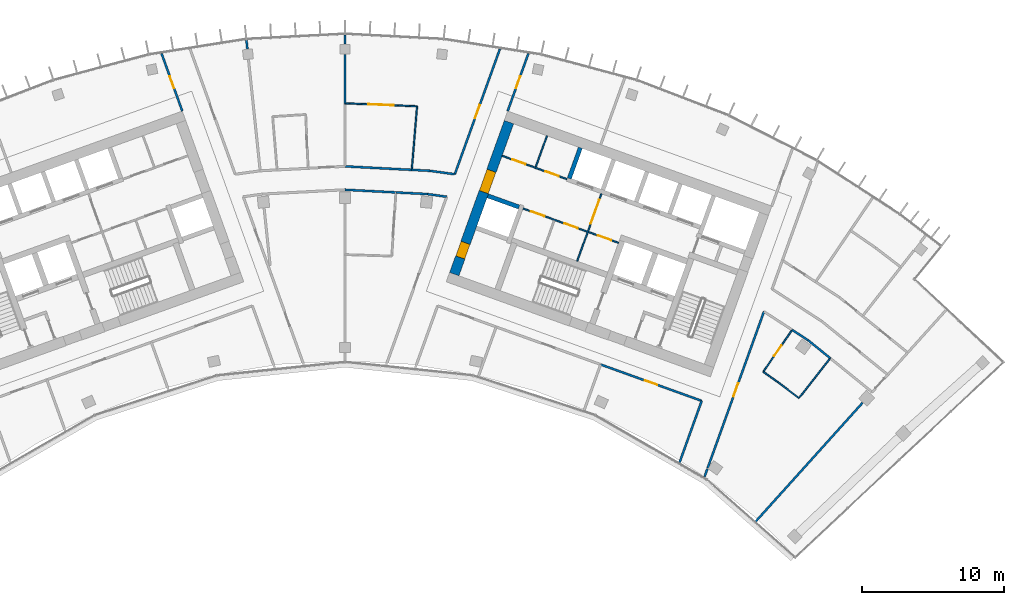
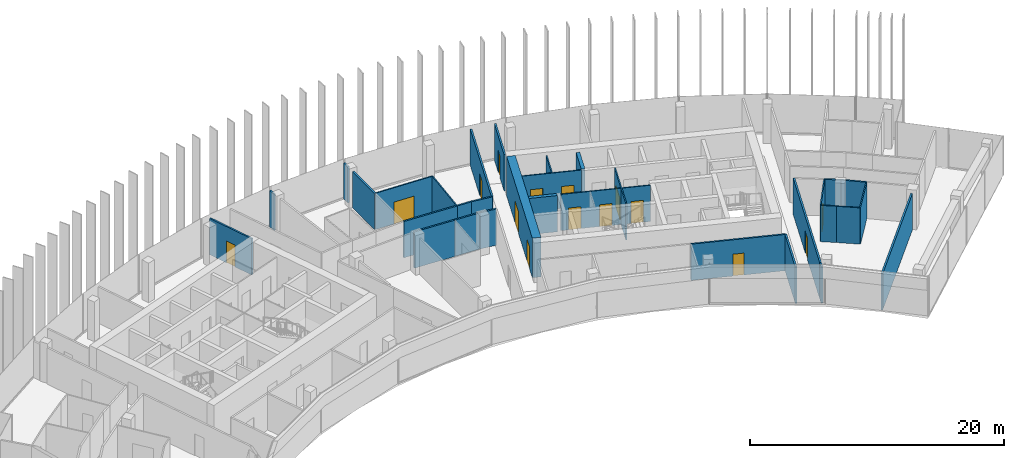
# One storey, part 16 of 19: 32 walls, 15 doors, 15 openings.
"""IFC4 building model written with IfcOpenShell, lengths in metres."""

import ifcopenshell
import ifcopenshell.guid

model = None  # the IFC model being written
_history = None  # IfcOwnerHistory: only IFC2X3 demands one
_inside = {}  # id of a spatial element -> (the spatial element, [elements in it])
_under = {}  # id of a project, library or spatial element -> (it, [spatial elements below it])
_declared = {}  # id of a project -> (the project, [libraries it declares])
_typed = {}  # id of a type object -> (the type object, [elements of that type])
_made_of = {}  # id of a material, layer set ... -> (it, [elements and type objects made of it])


def new_model(schema):
    """Start an empty IFC model of exactly this schema.

    Asked for "IFC4X3", IfcOpenShell would pick the latest addendum, in which some entities
    have other attributes; the version numbers below select the first issue.
    IFC2X3 requires an IfcOwnerHistory on every rooted entity: one is made here for all.
    """
    global model, _history
    if schema == "IFC4X3":
        model = ifcopenshell.file(schema_version=(4, 3, 0, 0))
    else:
        model = ifcopenshell.file(schema=schema)
    _inside.clear()
    _under.clear()
    _declared.clear()
    _typed.clear()
    _made_of.clear()
    _history = None
    if model.schema == "IFC2X3":
        org = make("IfcOrganization", Name="unknown")
        user = make(
            "IfcPersonAndOrganization",
            ThePerson=make("IfcPerson", FamilyName="unknown"),
            TheOrganization=org,
        )
        app = make(
            "IfcApplication",
            ApplicationDeveloper=org,
            Version="unknown",
            ApplicationFullName="unknown",
            ApplicationIdentifier="unknown",
        )
        _history = make(
            "IfcOwnerHistory",
            OwningUser=user,
            OwningApplication=app,
            ChangeAction="ADDED",
            CreationDate=0,
        )
    return model


def make(cls, **values):
    """One entity of the class cls with the attributes given. An attribute that is None is left unset."""
    return model.create_entity(
        cls, **{name: value for name, value in values.items() if value is not None}
    )


def rooted(cls, **values):
    """An entity with a GlobalId (a new one), such as an element, a storey or a relation."""
    return make(cls, GlobalId=ifcopenshell.guid.new(), OwnerHistory=_history, **values)


def si_unit(unit_type, name, prefix=None):
    """IfcSIUnit, for example si_unit("LENGTHUNIT", "METRE", prefix="MILLI")."""
    return make("IfcSIUnit", UnitType=unit_type, Prefix=prefix, Name=name)


def assignment(units):
    """IfcUnitAssignment: the units of a project."""
    return None if units is None else make("IfcUnitAssignment", Units=units)


def point(xyz):
    """IfcCartesianPoint."""
    return None if xyz is None else make("IfcCartesianPoint", Coordinates=xyz)


def direction(xyz):
    """IfcDirection."""
    return None if xyz is None else make("IfcDirection", DirectionRatios=xyz)


def frame(location, z_axis=None, x_axis=None):
    """IfcAxis2Placement3D, a coordinate frame: its origin and axes. An axis left out is left unset."""
    return make(
        "IfcAxis2Placement3D",
        Location=point(location),
        Axis=direction(z_axis),
        RefDirection=direction(x_axis),
    )


def frame_2d(location, x_axis=None):
    """IfcAxis2Placement2D, a coordinate frame in the plane: its origin and x axis."""
    return make(
        "IfcAxis2Placement2D", Location=point(location), RefDirection=direction(x_axis)
    )


def origin():
    """The frame at (0, 0, 0) with its axes left unset."""
    return frame((0.0, 0.0, 0.0))


def place(relative_to, where):
    """IfcLocalPlacement: puts the frame where relative to a parent placement (None: the world)."""
    return make(
        "IfcLocalPlacement", PlacementRelTo=relative_to, RelativePlacement=where
    )


def context(
    kind, dimensions, precision=None, world=None, true_north=None, identifier=None
):
    """IfcGeometricRepresentationContext, for example the 3D "Model" context."""
    return make(
        "IfcGeometricRepresentationContext",
        ContextIdentifier=identifier,
        ContextType=kind,
        CoordinateSpaceDimension=dimensions,
        Precision=precision,
        WorldCoordinateSystem=world,
        TrueNorth=true_north,
    )


def subcontext(parent, identifier, kind, view, scale=None):
    """IfcGeometricRepresentationSubContext, for example "Body" below "Model"."""
    return make(
        "IfcGeometricRepresentationSubContext",
        ContextIdentifier=identifier,
        ContextType=kind,
        ParentContext=parent,
        TargetScale=scale,
        TargetView=view,
    )


def project(units=None, contexts=None):
    """IfcProject with its units and contexts."""
    return rooted(
        "IfcProject",
        Name="project",
        RepresentationContexts=contexts,
        UnitsInContext=assignment(units),
    )


def spatial(cls, under=None, at=None, **own):
    """A site, building, storey or space (cls), placed at a placement, below another one or the project."""
    s = rooted(cls, ObjectPlacement=at, **own)
    if under is not None:
        _under.setdefault(under.id(), (under, []))[1].append(s)
    return s


def profile(cls, at=None, kind="AREA", **sizes):
    """A parametric profile (cls). Its sizes go by their IFC names, for example OverallWidth=200.0."""
    return make(cls, ProfileType=kind, Position=at, **sizes)


def rectangle(**sizes):
    """IfcRectangleProfileDef."""
    return profile("IfcRectangleProfileDef", **sizes)


def extrude(swept, where, along, depth):
    """IfcExtrudedAreaSolid: the profile swept, set in the frame where, extruded along a direction by depth."""
    return make(
        "IfcExtrudedAreaSolid",
        SweptArea=swept,
        Position=where,
        ExtrudedDirection=direction(along),
        Depth=depth,
    )


def shape(context_of_items, identifier, shape_type, items):
    """IfcShapeRepresentation: the items that make up one representation, for example the "Body"."""
    return make(
        "IfcShapeRepresentation",
        ContextOfItems=context_of_items,
        RepresentationIdentifier=identifier,
        RepresentationType=shape_type,
        Items=items,
    )


def material(Name=None, Category=None):
    """IfcMaterial."""
    return make("IfcMaterial", Name=Name, Category=Category)


def layer(
    of_material, thickness, ventilated=None, Name=None, Category=None, Priority=None
):
    """IfcMaterialLayer: one layer of a wall or slab, of a material (None: an air gap)."""
    return make(
        "IfcMaterialLayer",
        Material=of_material,
        LayerThickness=thickness,
        IsVentilated=ventilated,
        Name=Name,
        Category=Category,
        Priority=Priority,
    )


def layer_set(layers, Name=None):
    """IfcMaterialLayerSet."""
    return make("IfcMaterialLayerSet", MaterialLayers=layers, LayerSetName=Name)


def made_of(thing, what):
    """Note that an element or type object is made of a material, layer set ...; save() writes the relation."""
    if what is not None:
        _made_of.setdefault(what.id(), (what, []))[1].append(thing)
    return thing


def type_object(cls, material=None, **own):
    """A type object (cls), such as IfcWallType, which elements share."""
    return made_of(rooted(cls, **own), material)


def element(
    cls,
    number,
    at=None,
    inside=None,
    cuts=None,
    type_object=None,
    material=None,
    context=None,
    identifier="Body",
    shape_type=None,
    held_by="IfcProductDefinitionShape",
    body=None,
    shapes=None,
    **own,
):
    """One element of the class cls, such as IfcWall. Its Tag is "e" and its number.

    at: its placement. inside: the storey or other place that contains it. cuts: it is an
    opening in that element (IfcRelVoidsElement). A single representation is given by context,
    identifier, shape_type and body (its items); several are given by shapes. held_by: the class
    of the entity that holds the representations. save() writes the other relations.
    """
    e = rooted(cls, Tag="e%d" % number, ObjectPlacement=at, **own)
    if body is not None:
        shapes = [shape(context, identifier, shape_type, body)]
    if shapes is not None:
        e.Representation = make(held_by, Representations=shapes)
    if inside is not None:
        _inside.setdefault(inside.id(), (inside, []))[1].append(e)
    if cuts is not None:
        rooted(
            "IfcRelVoidsElement", RelatingBuildingElement=cuts, RelatedOpeningElement=e
        )
    if type_object is not None:
        _typed.setdefault(type_object.id(), (type_object, []))[1].append(e)
    return made_of(e, material)


def fill(opening, filler):
    """IfcRelFillsElement: the door or window that sits in an opening."""
    return rooted(
        "IfcRelFillsElement",
        RelatingOpeningElement=opening,
        RelatedBuildingElement=filler,
    )


def aggregate(whole, parts):
    """IfcRelAggregates: a whole, such as a stair, and the parts it consists of."""
    return rooted("IfcRelAggregates", RelatingObject=whole, RelatedObjects=parts)


def save(model, path):
    """Write the relations noted so far, then the file.

    IfcRelAggregates (storeys below a building ...), IfcRelContainedInSpatialStructure (elements
    in a storey), IfcRelDefinesByType, IfcRelAssociatesMaterial and IfcRelDeclares: one each for
    every whole, place, type object, material and project.
    """
    for whole, parts in _under.values():
        aggregate(whole, parts)
    for where, things in _inside.values():
        rooted(
            "IfcRelContainedInSpatialStructure",
            RelatedElements=things,
            RelatingStructure=where,
        )
    for kind, things in _typed.values():
        rooted("IfcRelDefinesByType", RelatedObjects=things, RelatingType=kind)
    for what, things in _made_of.values():
        rooted("IfcRelAssociatesMaterial", RelatedObjects=things, RelatingMaterial=what)
    for by, libraries in _declared.values():
        rooted("IfcRelDeclares", RelatingContext=by, RelatedDefinitions=libraries)
    model.write(path)


model = new_model("IFC4")

# Units and contexts
model_context = context("Model", 3, precision=1e-05, world=origin(), true_north=direction((0.0, 1.0)))
body_context = subcontext(model_context, "Body", "Model", "MODEL_VIEW")
ifc_project = project(units=[si_unit("LENGTHUNIT", "METRE"), si_unit("AREAUNIT", "SQUARE_METRE"), si_unit("VOLUMEUNIT", "CUBIC_METRE"), si_unit("PLANEANGLEUNIT", "RADIAN"), si_unit("MASSUNIT", "GRAM", prefix="KILO")], contexts=[model_context])

# Site, building, storey
site_placement = place(None, origin())
site = spatial("IfcSite", under=ifc_project, at=site_placement, CompositionType="ELEMENT")
building_placement = place(site_placement, origin())
building = spatial("IfcBuilding", under=site, at=building_placement, Name="Stone Belt Terrace Tower", CompositionType="ELEMENT")
storey_placement = place(building_placement, frame((0.0, 0.0, 292.199951171875)))
storey = spatial("IfcBuildingStorey", under=building, at=storey_placement, Name="L71", CompositionType="ELEMENT", Elevation=292.199951171875)

# Wall, openings, doors
ifc_material_1 = material(Name="Plasterboard partition")
ifc_layer_1 = layer(ifc_material_1, 0.10009765625)
ifc_layer_set_1 = layer_set([ifc_layer_1], Name="Core partition 100")
wall_type_1 = type_object("IfcWallType", Name="Core partition 100", PredefinedType="PARTITIONING", material=ifc_layer_set_1)
wall_1_placement = place(storey_placement, frame((19.29052734375, 51.829833984375, 0.0), z_axis=(0.0, 0.0, 1.0), x_axis=(-0.94092179465, 0.338623945331, 0.0)))
wall_1 = element("IfcWall", 1, at=wall_1_placement, inside=storey, type_object=wall_type_1, Name="Core B wall", PredefinedType="PARTITIONING", context=body_context, shape_type="SweptSolid", body=[
    extrude(rectangle(XDim=7.14990234375, YDim=0.10009765625, at=frame_2d((3.574951171875, 0.0))), origin(), (0.0, 0.0, 1.0), 3.47998046875),
])
opening_1_placement = place(wall_1_placement, frame((0.550048828125, 0.0, 0.0)))
opening_1 = element("IfcOpeningElement", 2, at=opening_1_placement, cuts=wall_1, Name="Opening L71-C18", PredefinedType="OPENING", context=body_context, shape_type="SweptSolid", body=[
    extrude(rectangle(XDim=1.0, YDim=2.10009765625, at=frame_2d((0.5, 1.050048828125))), frame((0.0, 0.06005859375, 0.0), z_axis=(0.0, -1.0, 0.0), x_axis=(1.0, 0.0, 0.0)), (0.0, 0.0, 1.0), 0.1201171875),
])
opening_2_placement = place(wall_1_placement, frame((3.050048828125, 0.0, 0.0)))
opening_2 = element("IfcOpeningElement", 3, at=opening_2_placement, cuts=wall_1, Name="Opening L71-C19", PredefinedType="OPENING", context=body_context, shape_type="SweptSolid", body=[
    extrude(rectangle(XDim=1.0, YDim=2.10009765625, at=frame_2d((0.5, 1.050048828125))), frame((0.0, 0.06005859375, 0.0), z_axis=(0.0, -1.0, 0.0), x_axis=(1.0, 0.0, 0.0)), (0.0, 0.0, 1.0), 0.1201171875),
])
opening_3_placement = place(wall_1_placement, frame((5.550048828125, 0.0, 0.0)))
opening_3 = element("IfcOpeningElement", 4, at=opening_3_placement, cuts=wall_1, Name="Opening L71-C20", PredefinedType="OPENING", context=body_context, shape_type="SweptSolid", body=[
    extrude(rectangle(XDim=1.0, YDim=2.10009765625, at=frame_2d((0.5, 1.050048828125))), frame((0.0, 0.06005859375, 0.0), z_axis=(0.0, -1.0, 0.0), x_axis=(1.0, 0.0, 0.0)), (0.0, 0.0, 1.0), 0.1201171875),
])
ifc_material_2 = material(Name="Timber door leaf", Category="wood")
door_type_1 = type_object("IfcDoorType", Name="Core room door 1000", OperationType="SINGLE_SWING_LEFT", PredefinedType="DOOR", material=ifc_material_2)
door_1_placement = place(opening_1_placement, origin())
door_1 = element("IfcDoor", 5, at=door_1_placement, inside=storey, type_object=door_type_1, Name="Door to Electrical room core B", OperationType="SINGLE_SWING_RIGHT", OverallHeight=2.10009765625, OverallWidth=1.0, PredefinedType="DOOR", context=body_context, shape_type="SweptSolid", body=[
    extrude(rectangle(XDim=1.0, YDim=2.10009765625, at=frame_2d((0.5, 1.050048828125))), frame((0.0, 0.02490234375, 0.0), z_axis=(0.0, -1.0, 0.0), x_axis=(1.0, 0.0, 0.0)), (0.0, 0.0, 1.0), 0.050048828125),
])
fill(opening_1, door_1)
door_2_placement = place(opening_2_placement, origin())
door_2 = element("IfcDoor", 6, at=door_2_placement, inside=storey, type_object=door_type_1, Name="Door to Ventilation plant room core B", OperationType="SINGLE_SWING_LEFT", OverallHeight=2.10009765625, OverallWidth=1.0, PredefinedType="DOOR", context=body_context, shape_type="SweptSolid", body=[
    extrude(rectangle(XDim=1.0, YDim=2.10009765625, at=frame_2d((0.5, 1.050048828125))), frame((0.0, 0.02490234375, 0.0), z_axis=(0.0, -1.0, 0.0), x_axis=(1.0, 0.0, 0.0)), (0.0, 0.0, 1.0), 0.050048828125),
])
fill(opening_2, door_2)
door_3_placement = place(opening_3_placement, origin())
door_3 = element("IfcDoor", 7, at=door_3_placement, inside=storey, type_object=door_type_1, Name="Door to Services store core B", OperationType="SINGLE_SWING_RIGHT", OverallHeight=2.10009765625, OverallWidth=1.0, PredefinedType="DOOR", context=body_context, shape_type="SweptSolid", body=[
    extrude(rectangle(XDim=1.0, YDim=2.10009765625, at=frame_2d((0.5, 1.050048828125))), frame((0.0, 0.02490234375, 0.0), z_axis=(0.0, -1.0, 0.0), x_axis=(1.0, 0.0, 0.0)), (0.0, 0.0, 1.0), 0.050048828125),
])
fill(opening_3, door_3)

# Wall, opening, door
wall_2_placement = place(storey_placement, frame((16.38134765625, 50.53857421875, 0.0), z_axis=(0.0, 0.0, 1.0), x_axis=(0.33860476744, 0.940928696271, 0.0)))
wall_2 = element("IfcWall", 8, at=wall_2_placement, inside=storey, type_object=wall_type_1, Name="Core B wall", PredefinedType="PARTITIONING", context=body_context, shape_type="SweptSolid", body=[
    extrude(rectangle(XDim=5.050048828125, YDim=0.10009765625, at=frame_2d((2.52490234375, 0.0))), origin(), (0.0, 0.0, 1.0), 3.47998046875),
])
opening_4_placement = place(wall_2_placement, frame((2.800048828125, 0.0, 0.0)))
opening_4 = element("IfcOpeningElement", 9, at=opening_4_placement, cuts=wall_2, Name="Opening L71-C23", PredefinedType="OPENING", context=body_context, shape_type="SweptSolid", body=[
    extrude(rectangle(XDim=1.800048828125, YDim=2.10009765625, at=frame_2d((0.89990234375, 1.050048828125))), frame((0.0, 0.06005859375, 0.0), z_axis=(0.0, -1.0, 0.0), x_axis=(1.0, 0.0, 0.0)), (0.0, 0.0, 1.0), 0.1201171875),
])
ifc_material_3 = material(Name="Glazed aluminium door leaf", Category="aluminium")
door_type_2 = type_object("IfcDoorType", Name="Lift lobby entrance door 1800", OperationType="DOUBLE_DOOR_SINGLE_SWING", PredefinedType="DOOR", material=ifc_material_3)
door_4_placement = place(opening_4_placement, origin())
door_4 = element("IfcDoor", 10, at=door_4_placement, inside=storey, type_object=door_type_2, Name="Lift lobby double door core B", OperationType="DOUBLE_DOOR_SINGLE_SWING", OverallHeight=2.10009765625, OverallWidth=1.800048828125, PredefinedType="DOOR", context=body_context, shape_type="SweptSolid", body=[
    extrude(rectangle(XDim=1.800048828125, YDim=2.10009765625, at=frame_2d((0.89990234375, 1.050048828125))), frame((0.0, 0.02490234375, 0.0), z_axis=(0.0, -1.0, 0.0), x_axis=(1.0, 0.0, 0.0)), (0.0, 0.0, 1.0), 0.050048828125),
])
fill(opening_4, door_4)

# Wall, openings, doors
wall_3_placement = place(storey_placement, frame((15.648681640625, 56.32861328125, 0.0), z_axis=(0.0, 0.0, 1.0), x_axis=(-0.940905377977, 0.338669558262, 0.0)))
wall_3 = element("IfcWall", 11, at=wall_3_placement, inside=storey, type_object=wall_type_1, Name="Core B wall", PredefinedType="PARTITIONING", context=body_context, shape_type="SweptSolid", body=[
    extrude(rectangle(XDim=4.85009765625, YDim=0.10009765625, at=frame_2d((2.425048828125, 0.0))), origin(), (0.0, 0.0, 1.0), 3.47998046875),
])
opening_5_placement = place(wall_3_placement, frame((0.60009765625, 0.0, 0.0)))
opening_5 = element("IfcOpeningElement", 12, at=opening_5_placement, cuts=wall_3, Name="Opening L71-C16", PredefinedType="OPENING", context=body_context, shape_type="SweptSolid", body=[
    extrude(rectangle(XDim=1.0, YDim=2.10009765625, at=frame_2d((0.5, 1.050048828125))), frame((0.0, 0.06005859375, 0.0), z_axis=(0.0, -1.0, 0.0), x_axis=(1.0, 0.0, 0.0)), (0.0, 0.0, 1.0), 0.1201171875),
])
opening_6_placement = place(wall_3_placement, frame((3.10009765625, 0.0, 0.0)))
opening_6 = element("IfcOpeningElement", 13, at=opening_6_placement, cuts=wall_3, Name="Opening L71-C17", PredefinedType="OPENING", context=body_context, shape_type="SweptSolid", body=[
    extrude(rectangle(XDim=1.0, YDim=2.10009765625, at=frame_2d((0.5, 1.050048828125))), frame((0.0, 0.06005859375, 0.0), z_axis=(0.0, -1.0, 0.0), x_axis=(1.0, 0.0, 0.0)), (0.0, 0.0, 1.0), 0.1201171875),
])
door_5_placement = place(opening_5_placement, origin())
door_5 = element("IfcDoor", 14, at=door_5_placement, inside=storey, type_object=door_type_1, Name="Door to Server room core B", OperationType="SINGLE_SWING_RIGHT", OverallHeight=2.10009765625, OverallWidth=1.0, PredefinedType="DOOR", context=body_context, shape_type="SweptSolid", body=[
    extrude(rectangle(XDim=1.0, YDim=2.10009765625, at=frame_2d((0.5, 1.050048828125))), frame((0.0, 0.02490234375, 0.0), z_axis=(0.0, -1.0, 0.0), x_axis=(1.0, 0.0, 0.0)), (0.0, 0.0, 1.0), 0.050048828125),
])
fill(opening_5, door_5)
door_6_placement = place(opening_6_placement, origin())
door_6 = element("IfcDoor", 15, at=door_6_placement, inside=storey, type_object=door_type_1, Name="Door to Plant room core B", OperationType="SINGLE_SWING_LEFT", OverallHeight=2.10009765625, OverallWidth=1.0, PredefinedType="DOOR", context=body_context, shape_type="SweptSolid", body=[
    extrude(rectangle(XDim=1.0, YDim=2.10009765625, at=frame_2d((0.5, 1.050048828125))), frame((0.0, 0.02490234375, 0.0), z_axis=(0.0, -1.0, 0.0), x_axis=(1.0, 0.0, 0.0)), (0.0, 0.0, 1.0), 0.050048828125),
])
fill(opening_6, door_6)

# Wall
wall_4_placement = place(storey_placement, frame((13.45458984375, 57.171630859375, 0.0), z_axis=(0.0, 0.0, 1.0), x_axis=(0.338579668317, 0.940937728121, 0.0)))
element("IfcWall", 16, at=wall_4_placement, inside=storey, type_object=wall_type_1, Name="Core B wall", PredefinedType="PARTITIONING", context=body_context, shape_type="SweptSolid", body=[
    extrude(rectangle(XDim=2.35009765625, YDim=0.10009765625, at=frame_2d((1.175048828125, 0.0))), origin(), (0.0, 0.0, 1.0), 3.47998046875),
])

# Wall, openings, doors
ifc_material_4 = material(Name="Concrete B60", Category="concrete")
ifc_layer_2 = layer(ifc_material_4, 0.699951171875)
ifc_layer_set_2 = layer_set([ifc_layer_2], Name="Core wall 700 B60")
wall_type_2 = type_object("IfcWallType", Name="Core wall 700 B60", PredefinedType="SHEAR", material=ifc_layer_set_2)
wall_5_placement = place(storey_placement, frame((7.70849609375, 49.621337890625, 0.0), z_axis=(0.0, 0.0, 1.0), x_axis=(0.338606471282, 0.940928083121, 0.0)))
wall_5 = element("IfcWall", 17, at=wall_5_placement, inside=storey, type_object=wall_type_2, Name="Core B wall end_a L71", PredefinedType="SHEAR", context=body_context, shape_type="SweptSolid", body=[
    extrude(rectangle(XDim=11.39990234375, YDim=0.699951171875, at=frame_2d((5.699951171875, 0.0))), origin(), (0.0, 0.0, 1.0), 3.800048828125),
])
opening_7_placement = place(wall_5_placement, frame((6.14990234375, 0.0, 0.0)))
opening_7 = element("IfcOpeningElement", 18, at=opening_7_placement, cuts=wall_5, Name="Opening L71-C24", PredefinedType="OPENING", context=body_context, shape_type="SweptSolid", body=[
    extrude(rectangle(XDim=1.60009765625, YDim=2.10009765625, at=frame_2d((0.800048828125, 1.050048828125))), frame((0.0, 0.35986328125, 0.0), z_axis=(0.0, -1.0, 0.0), x_axis=(1.0, 0.0, 0.0)), (0.0, 0.0, 1.0), 0.719970703125),
])
opening_8_placement = place(wall_5_placement, frame((1.25, 0.0, 0.0)))
opening_8 = element("IfcOpeningElement", 19, at=opening_8_placement, cuts=wall_5, Name="Opening L71-C30", PredefinedType="OPENING", context=body_context, shape_type="SweptSolid", body=[
    extrude(rectangle(XDim=1.10009765625, YDim=2.10009765625, at=frame_2d((0.550048828125, 1.050048828125))), frame((0.0, 0.35986328125, 0.0), z_axis=(0.0, -1.0, 0.0), x_axis=(1.0, 0.0, 0.0)), (0.0, 0.0, 1.0), 0.719970703125),
])
door_type_3 = type_object("IfcDoorType", Name="Core room door 1100", OperationType="SINGLE_SWING_LEFT", PredefinedType="DOOR", material=ifc_material_2)
door_7_placement = place(opening_8_placement, origin())
door_7 = element("IfcDoor", 20, at=door_7_placement, inside=storey, type_object=door_type_3, Name="Door to Electrical riser room core B", OperationType="SINGLE_SWING_RIGHT", OverallHeight=2.10009765625, OverallWidth=1.10009765625, PredefinedType="DOOR", context=body_context, shape_type="SweptSolid", body=[
    extrude(rectangle(XDim=1.10009765625, YDim=2.10009765625, at=frame_2d((0.550048828125, 1.050048828125))), frame((0.0, 0.330078125, 0.0), z_axis=(0.0, -1.0, 0.0), x_axis=(1.0, 0.0, 0.0)), (0.0, 0.0, 1.0), 0.659912109375),
])
fill(opening_8, door_7)
door_type_4 = type_object("IfcDoorType", Name="Lift lobby entrance door 1600", OperationType="DOUBLE_DOOR_SINGLE_SWING", PredefinedType="DOOR", material=ifc_material_3)
door_8_placement = place(opening_7_placement, origin())
door_8 = element("IfcDoor", 21, at=door_8_placement, inside=storey, type_object=door_type_4, Name="Lift lobby entrance door core B", OperationType="DOUBLE_DOOR_SINGLE_SWING", OverallHeight=2.10009765625, OverallWidth=1.60009765625, PredefinedType="DOOR", context=body_context, shape_type="SweptSolid", body=[
    extrude(rectangle(XDim=1.60009765625, YDim=2.10009765625, at=frame_2d((0.800048828125, 1.050048828125))), frame((0.0, 0.330078125, 0.0), z_axis=(0.0, -1.0, 0.0), x_axis=(1.0, 0.0, 0.0)), (0.0, 0.0, 1.0), 0.659912109375),
])
fill(opening_7, door_8)

# Walls
ifc_material_5 = material(Name="Concrete B80", Category="concrete")
ifc_layer_3 = layer(ifc_material_5, 0.300048828125)
ifc_layer_set_3 = layer_set([ifc_layer_3], Name="Lift shaft wall 300")
wall_type_3 = type_object("IfcWallType", Name="Lift shaft wall 300", PredefinedType="SHEAR", material=ifc_layer_set_3)
wall_6_placement = place(storey_placement, frame((15.82373046875, 56.3720703125, 0.0), z_axis=(0.0, 0.0, 1.0), x_axis=(0.338621735342, 0.94092258999, 0.0)))
element("IfcWall", 22, at=wall_6_placement, inside=storey, type_object=wall_type_3, Name="Core B wall", PredefinedType="SHEAR", context=body_context, shape_type="SweptSolid", body=[
    extrude(rectangle(XDim=2.300048828125, YDim=0.300048828125, at=frame_2d((1.14990234375, 0.0))), origin(), (0.0, 0.0, 1.0), 3.47998046875),
])
wall_7_placement = place(storey_placement, frame((12.280517578125, 54.3525390625, 0.0), z_axis=(0.0, 0.0, 1.0), x_axis=(-0.940925816745, 0.338612769078, 0.0)))
element("IfcWall", 23, at=wall_7_placement, inside=storey, type_object=wall_type_3, Name="Core B wall", PredefinedType="SHEAR", context=body_context, shape_type="SweptSolid", body=[
    extrude(rectangle(XDim=2.349853515625, YDim=0.300048828125, at=frame_2d((1.1748046875, 0.0))), origin(), (0.0, 0.0, 1.0), 3.47998046875),
])

# Wall, opening, door
ifc_material_6 = material(Name="Gypsum board partition")
ifc_layer_4 = layer(ifc_material_6, 0.10009765625)
ifc_layer_set_4 = layer_set([ifc_layer_4], Name="PARTITION 100")
wall_type_4 = type_object("IfcWallType", Name="PARTITION 100", PredefinedType="PARTITIONING", material=ifc_layer_set_4)
wall_8_placement = place(storey_placement, frame((31.5439453125, 45.68896484375, 0.0), z_axis=(0.0, 0.0, 1.0), x_axis=(-0.568120559213, -0.822945338525, 0.0)))
wall_8 = element("IfcWall", 24, at=wall_8_placement, inside=storey, type_object=wall_type_4, Name="L71/wall/i064", PredefinedType="PARTITIONING", context=body_context, shape_type="SweptSolid", body=[
    extrude(rectangle(XDim=3.5908203125, YDim=0.10009765625, at=frame_2d((1.79541015625, 0.0))), origin(), (0.0, 0.0, 1.0), 3.47998046875),
])
opening_9_placement = place(wall_8_placement, frame((1.345458984375, 0.0, 0.0)))
opening_9 = element("IfcOpeningElement", 25, at=opening_9_placement, cuts=wall_8, Name="Opening D-E4-19", PredefinedType="OPENING", context=body_context, shape_type="SweptSolid", body=[
    extrude(rectangle(XDim=0.89990234375, YDim=2.10009765625, at=frame_2d((0.449951171875, 1.050048828125))), frame((0.0, 0.06005859375, 0.0), z_axis=(0.0, -1.0, 0.0), x_axis=(1.0, 0.0, 0.0)), (0.0, 0.0, 1.0), 0.1201171875),
])
door_type_5 = type_object("IfcDoorType", Name="OFFICE DOOR 900 X 2100", OperationType="NOTDEFINED", PredefinedType="DOOR", material=ifc_material_2)
door_9_placement = place(opening_9_placement, origin())
door_9 = element("IfcDoor", 26, at=door_9_placement, inside=storey, type_object=door_type_5, Name="L71/door/i19", OperationType="SINGLE_SWING_RIGHT", OverallHeight=2.10009765625, OverallWidth=0.89990234375, PredefinedType="DOOR", context=body_context, shape_type="SweptSolid", body=[
    extrude(rectangle(XDim=0.89990234375, YDim=2.10009765625, at=frame_2d((0.449951171875, 1.050048828125))), frame((0.0, 0.02490234375, 0.0), z_axis=(0.0, -1.0, 0.0), x_axis=(1.0, 0.0, 0.0)), (0.0, 0.0, 1.0), 0.050048828125),
])
fill(opening_9, door_9)

# Walls
wall_9_placement = place(storey_placement, frame((29.50390625, 42.73388671875, 0.0), z_axis=(0.0, 0.0, 1.0), x_axis=(0.815986058791, -0.578071580221, 0.0)))
element("IfcWall", 27, at=wall_9_placement, inside=storey, type_object=wall_type_4, Name="L71/wall/i065", PredefinedType="PARTITIONING", context=body_context, shape_type="SweptSolid", body=[
    extrude(rectangle(XDim=1.248779296875, YDim=0.10009765625, at=frame_2d((0.62451171875, 0.0))), origin(), (0.0, 0.0, 1.0), 3.47998046875),
])
wall_10_placement = place(storey_placement, frame((30.52294921875, 42.011962890625, 0.0), z_axis=(0.0, 0.0, 1.0), x_axis=(0.798373260242, -0.602162882725, 0.0)))
element("IfcWall", 28, at=wall_10_placement, inside=storey, type_object=wall_type_4, Name="L71/wall/i066", PredefinedType="PARTITIONING", context=body_context, shape_type="SweptSolid", body=[
    extrude(rectangle(XDim=1.87646484375, YDim=0.10009765625, at=frame_2d((0.938232421875, 0.0))), origin(), (0.0, 0.0, 1.0), 3.47998046875),
])
wall_11_placement = place(storey_placement, frame((32.02099609375, 40.882080078125, 0.0), z_axis=(0.0, 0.0, 1.0), x_axis=(0.616536467142, 0.787326352083, 0.0)))
element("IfcWall", 29, at=wall_11_placement, inside=storey, type_object=wall_type_4, Name="L71/wall/i067", PredefinedType="PARTITIONING", context=body_context, shape_type="SweptSolid", body=[
    extrude(rectangle(XDim=3.57666015625, YDim=0.10009765625, at=frame_2d((1.788330078125, 0.0))), origin(), (0.0, 0.0, 1.0), 3.47998046875),
])
wall_12_placement = place(storey_placement, frame((4.7119140625, 56.97802734375, 0.0), z_axis=(0.0, 0.0, 1.0), x_axis=(0.082461797713, 0.996594226312, 0.0)))
element("IfcWall", 30, at=wall_12_placement, inside=storey, type_object=wall_type_4, Name="L71/wall/i105", PredefinedType="PARTITIONING", context=body_context, shape_type="SweptSolid", body=[
    extrude(rectangle(XDim=4.500244140625, YDim=0.10009765625, at=frame_2d((2.25, 0.0))), origin(), (0.0, 0.0, 1.0), 3.47998046875),
])

# Wall, opening, door
wall_13_placement = place(storey_placement, frame((5.0830078125, 61.462890625, 0.0), z_axis=(0.0, 0.0, 1.0), x_axis=(-0.999145999258, 0.041319150113, 0.0)))
wall_13 = element("IfcWall", 31, at=wall_13_placement, inside=storey, type_object=wall_type_4, Name="L71/wall/i106", PredefinedType="PARTITIONING", context=body_context, shape_type="SweptSolid", body=[
    extrude(rectangle(XDim=5.08740234375, YDim=0.10009765625, at=frame_2d((2.543701171875, 0.0))), origin(), (0.0, 0.0, 1.0), 3.47998046875),
])
opening_10_placement = place(wall_13_placement, frame((1.6435546875, 0.0, 0.0)))
opening_10 = element("IfcOpeningElement", 32, at=opening_10_placement, cuts=wall_13, Name="Opening D-E4-32", PredefinedType="OPENING", context=body_context, shape_type="SweptSolid", body=[
    extrude(rectangle(XDim=1.800048828125, YDim=2.10009765625, at=frame_2d((0.89990234375, 1.050048828125))), frame((0.0, 0.06005859375, 0.0), z_axis=(0.0, -1.0, 0.0), x_axis=(1.0, 0.0, 0.0)), (0.0, 0.0, 1.0), 0.1201171875),
])
door_type_6 = type_object("IfcDoorType", Name="DOUBLE DOOR 1800 X 2100", OperationType="DOUBLE_DOOR_SINGLE_SWING", PredefinedType="DOOR", material=ifc_material_2)
door_10_placement = place(opening_10_placement, origin())
door_10 = element("IfcDoor", 33, at=door_10_placement, inside=storey, type_object=door_type_6, Name="L71/door/i32", OperationType="DOUBLE_DOOR_SINGLE_SWING", OverallHeight=2.10009765625, OverallWidth=1.800048828125, PredefinedType="DOOR", context=body_context, shape_type="SweptSolid", body=[
    extrude(rectangle(XDim=1.800048828125, YDim=2.10009765625, at=frame_2d((0.89990234375, 1.050048828125))), frame((0.0, 0.02490234375, 0.0), z_axis=(0.0, -1.0, 0.0), x_axis=(1.0, 0.0, 0.0)), (0.0, 0.0, 1.0), 0.050048828125),
])
fill(opening_10, door_10)

ifc_layer_5 = layer(ifc_material_6, 0.14990234375)
ifc_layer_set_5 = layer_set([ifc_layer_5], Name="PARTITION 150 EI 60")
wall_type_5 = type_object("IfcWallType", Name="PARTITION 150 EI 60", PredefinedType="PARTITIONING", material=ifc_layer_set_5)
wall_14_placement = place(storey_placement, frame((-11.47607421875, 61.125, 0.0), z_axis=(0.0, 0.0, 1.0), x_axis=(-0.338707450319, 0.940891738245, 0.0)))
wall_14 = element("IfcWall", 34, at=wall_14_placement, inside=storey, type_object=wall_type_5, Name="L71/wall/i008", PredefinedType="PARTITIONING", context=body_context, shape_type="SweptSolid", body=[
    extrude(rectangle(XDim=4.316162109375, YDim=0.14990234375, at=frame_2d((2.158203125, 0.0))), origin(), (0.0, 0.0, 1.0), 3.47998046875),
])
opening_11_placement = place(wall_14_placement, frame((1.7080078125, 0.0, 0.0)))
opening_11 = element("IfcOpeningElement", 35, at=opening_11_placement, cuts=wall_14, Name="Opening D-E4-05", PredefinedType="OPENING", context=body_context, shape_type="SweptSolid", body=[
    extrude(rectangle(XDim=0.89990234375, YDim=2.10009765625, at=frame_2d((0.449951171875, 1.050048828125))), frame((0.0, 0.0849609375, 0.0), z_axis=(0.0, -1.0, 0.0), x_axis=(1.0, 0.0, 0.0)), (0.0, 0.0, 1.0), 0.169921875),
])
door_11_placement = place(opening_11_placement, origin())
door_11 = element("IfcDoor", 36, at=door_11_placement, inside=storey, type_object=door_type_5, Name="L71/door/i05", OperationType="SINGLE_SWING_RIGHT", OverallHeight=2.10009765625, OverallWidth=0.89990234375, PredefinedType="DOOR", context=body_context, shape_type="SweptSolid", body=[
    extrude(rectangle(XDim=0.89990234375, YDim=2.10009765625, at=frame_2d((0.449951171875, 1.050048828125))), frame((0.0, 0.02490234375, 0.0), z_axis=(0.0, -1.0, 0.0), x_axis=(1.0, 0.0, 0.0)), (0.0, 0.0, 1.0), 0.050048828125),
])
fill(opening_11, door_11)

wall_15_placement = place(storey_placement, frame((12.93798828125, 65.18603515625, 0.0), z_axis=(0.0, 0.0, 1.0), x_axis=(-0.338707450319, -0.940891738245, 0.0)))
wall_15 = element("IfcWall", 37, at=wall_15_placement, inside=storey, type_object=wall_type_5, Name="L71/wall/i019", PredefinedType="PARTITIONING", context=body_context, shape_type="SweptSolid", body=[
    extrude(rectangle(XDim=4.316162109375, YDim=0.14990234375, at=frame_2d((2.158203125, 0.0))), origin(), (0.0, 0.0, 1.0), 3.47998046875),
])
opening_12_placement = place(wall_15_placement, frame((1.7080078125, 0.0, 0.0)))
opening_12 = element("IfcOpeningElement", 38, at=opening_12_placement, cuts=wall_15, Name="Opening D-E4-09", PredefinedType="OPENING", context=body_context, shape_type="SweptSolid", body=[
    extrude(rectangle(XDim=0.89990234375, YDim=2.10009765625, at=frame_2d((0.449951171875, 1.050048828125))), frame((0.0, 0.0849609375, 0.0), z_axis=(0.0, -1.0, 0.0), x_axis=(1.0, 0.0, 0.0)), (0.0, 0.0, 1.0), 0.169921875),
])
door_12_placement = place(opening_12_placement, origin())
door_12 = element("IfcDoor", 39, at=door_12_placement, inside=storey, type_object=door_type_5, Name="L71/door/i09", OperationType="SINGLE_SWING_RIGHT", OverallHeight=2.10009765625, OverallWidth=0.89990234375, PredefinedType="DOOR", context=body_context, shape_type="SweptSolid", body=[
    extrude(rectangle(XDim=0.89990234375, YDim=2.10009765625, at=frame_2d((0.449951171875, 1.050048828125))), frame((0.0, 0.02490234375, 0.0), z_axis=(0.0, -1.0, 0.0), x_axis=(1.0, 0.0, 0.0)), (0.0, 0.0, 1.0), 0.050048828125),
])
fill(opening_12, door_12)

wall_16_placement = place(storey_placement, frame((7.7451171875, 56.6640625, 0.0), z_axis=(0.0, 0.0, 1.0), x_axis=(0.338644933311, 0.94091424112, 0.0)))
wall_16 = element("IfcWall", 40, at=wall_16_placement, inside=storey, type_object=wall_type_5, Name="L71/wall/i021", PredefinedType="PARTITIONING", context=body_context, shape_type="SweptSolid", body=[
    extrude(rectangle(XDim=9.395263671875, YDim=0.14990234375, at=frame_2d((4.69775390625, 0.0))), origin(), (0.0, 0.0, 1.0), 3.47998046875),
])
opening_13_placement = place(wall_16_placement, frame((4.19775390625, 0.0, 0.0)))
opening_13 = element("IfcOpeningElement", 41, at=opening_13_placement, cuts=wall_16, Name="Opening D-E4-31", PredefinedType="OPENING", context=body_context, shape_type="SweptSolid", body=[
    extrude(rectangle(XDim=1.0, YDim=2.10009765625, at=frame_2d((0.5, 1.050048828125))), frame((0.0, 0.0849609375, 0.0), z_axis=(0.0, -1.0, 0.0), x_axis=(1.0, 0.0, 0.0)), (0.0, 0.0, 1.0), 0.169921875),
])
ifc_material_7 = material(Name="Timber fire door leaf", Category="wood")
door_type_7 = type_object("IfcDoorType", Name="TENANCY ENTRANCE DOOR 1000 X 2100", OperationType="NOTDEFINED", PredefinedType="DOOR", material=ifc_material_7)
door_13_placement = place(opening_13_placement, origin())
door_13 = element("IfcDoor", 42, at=door_13_placement, inside=storey, type_object=door_type_7, Name="L71/door/i31", OperationType="SINGLE_SWING_RIGHT", OverallHeight=2.10009765625, OverallWidth=1.0, PredefinedType="DOOR", context=body_context, shape_type="SweptSolid", body=[
    extrude(rectangle(XDim=1.0, YDim=2.10009765625, at=frame_2d((0.5, 1.050048828125))), frame((0.0, 0.02490234375, 0.0), z_axis=(0.0, -1.0, 0.0), x_axis=(1.0, 0.0, 0.0)), (0.0, 0.0, 1.0), 0.050048828125),
])
fill(opening_13, door_13)

# Wall
wall_17_placement = place(storey_placement, frame((23.5966796875, 36.330810546875, 0.0), z_axis=(0.0, 0.0, 1.0), x_axis=(0.338609342271, 0.94092704995, 0.0)))
element("IfcWall", 43, at=wall_17_placement, inside=storey, type_object=wall_type_5, Name="L71/wall/i022", PredefinedType="PARTITIONING", context=body_context, shape_type="SweptSolid", body=[
    extrude(rectangle(XDim=4.6318359375, YDim=0.14990234375, at=frame_2d((2.31591796875, 0.0))), origin(), (0.0, 0.0, 1.0), 3.47998046875),
])

# Wall, opening, door
wall_18_placement = place(storey_placement, frame((29.556884765625, 46.987060546875, 0.0), z_axis=(0.0, 0.0, 1.0), x_axis=(-0.338660555828, -0.940908618265, 0.0)))
wall_18 = element("IfcWall", 44, at=wall_18_placement, inside=storey, type_object=wall_type_5, Name="L71/wall/i024", PredefinedType="PARTITIONING", context=body_context, shape_type="SweptSolid", body=[
    extrude(rectangle(XDim=11.73974609375, YDim=0.14990234375, at=frame_2d((5.869873046875, 0.0))), origin(), (0.0, 0.0, 1.0), 3.47998046875),
])
opening_14_placement = place(wall_18_placement, frame((5.369873046875, 0.0, 0.0)))
opening_14 = element("IfcOpeningElement", 45, at=opening_14_placement, cuts=wall_18, Name="Opening D-E4-18", PredefinedType="OPENING", context=body_context, shape_type="SweptSolid", body=[
    extrude(rectangle(XDim=1.0, YDim=2.10009765625, at=frame_2d((0.5, 1.050048828125))), frame((0.0, 0.0849609375, 0.0), z_axis=(0.0, -1.0, 0.0), x_axis=(1.0, 0.0, 0.0)), (0.0, 0.0, 1.0), 0.169921875),
])
door_14_placement = place(opening_14_placement, origin())
door_14 = element("IfcDoor", 46, at=door_14_placement, inside=storey, type_object=door_type_7, Name="L71/door/i18", OperationType="SINGLE_SWING_LEFT", OverallHeight=2.10009765625, OverallWidth=1.0, PredefinedType="DOOR", context=body_context, shape_type="SweptSolid", body=[
    extrude(rectangle(XDim=1.0, YDim=2.10009765625, at=frame_2d((0.5, 1.050048828125))), frame((0.0, 0.02490234375, 0.0), z_axis=(0.0, -1.0, 0.0), x_axis=(1.0, 0.0, 0.0)), (0.0, 0.0, 1.0), 0.050048828125),
])
fill(opening_14, door_14)

# Wall
wall_19_placement = place(storey_placement, frame((25.566162109375, 35.899658203125, 0.0), z_axis=(0.0, 0.0, 1.0), x_axis=(-0.338633814852, -0.940918242696, 0.0)))
element("IfcWall", 47, at=wall_19_placement, inside=storey, type_object=wall_type_5, Name="L71/wall/i025", PredefinedType="PARTITIONING", context=body_context, shape_type="SweptSolid", body=[
    extrude(rectangle(XDim=0.605712890625, YDim=0.14990234375, at=frame_2d((0.302734375, 0.0))), origin(), (0.0, 0.0, 1.0), 3.47998046875),
])

# Wall, opening, door
wall_20_placement = place(storey_placement, frame((25.1630859375, 40.68310546875, 0.0), z_axis=(0.0, 0.0, 1.0), x_axis=(-0.940951404115, 0.338541659317, 0.0)))
wall_20 = element("IfcWall", 48, at=wall_20_placement, inside=storey, type_object=wall_type_5, Name="L71/wall/i031", PredefinedType="PARTITIONING", context=body_context, shape_type="SweptSolid", body=[
    extrude(rectangle(XDim=7.585205078125, YDim=0.14990234375, at=frame_2d((3.79248046875, 0.0))), origin(), (0.0, 0.0, 1.0), 3.47998046875),
])
opening_15_placement = place(wall_20_placement, frame((3.342529296875, 0.0, 0.0)))
opening_15 = element("IfcOpeningElement", 49, at=opening_15_placement, cuts=wall_20, Name="Opening D-E4-08", PredefinedType="OPENING", context=body_context, shape_type="SweptSolid", body=[
    extrude(rectangle(XDim=0.89990234375, YDim=2.10009765625, at=frame_2d((0.449951171875, 1.050048828125))), frame((0.0, 0.0849609375, 0.0), z_axis=(0.0, -1.0, 0.0), x_axis=(1.0, 0.0, 0.0)), (0.0, 0.0, 1.0), 0.169921875),
])
door_15_placement = place(opening_15_placement, origin())
door_15 = element("IfcDoor", 50, at=door_15_placement, inside=storey, type_object=door_type_5, Name="L71/door/i08", OperationType="SINGLE_SWING_RIGHT", OverallHeight=2.10009765625, OverallWidth=0.89990234375, PredefinedType="DOOR", context=body_context, shape_type="SweptSolid", body=[
    extrude(rectangle(XDim=0.89990234375, YDim=2.10009765625, at=frame_2d((0.449951171875, 1.050048828125))), frame((0.0, 0.02490234375, 0.0), z_axis=(0.0, -1.0, 0.0), x_axis=(1.0, 0.0, 0.0)), (0.0, 0.0, 1.0), 0.050048828125),
])
fill(opening_15, door_15)

# Walls
wall_21_placement = place(storey_placement, frame((28.97802734375, 32.182373046875, 0.0), z_axis=(0.0, 0.0, 1.0), x_axis=(0.669127577115, 0.74314755301, 0.0)))
element("IfcWall", 51, at=wall_21_placement, inside=storey, type_object=wall_type_5, Name="L71/wall/i055", PredefinedType="PARTITIONING", context=body_context, shape_type="SweptSolid", body=[
    extrude(rectangle(XDim=11.263671875, YDim=0.14990234375, at=frame_2d((5.6318359375, 0.0))), origin(), (0.0, 0.0, 1.0), 3.47998046875),
])
wall_22_placement = place(storey_placement, frame((34.23095703125, 43.694091796875, 0.0), z_axis=(0.0, 0.0, 1.0), x_axis=(-0.777247694458, 0.62919474049, 0.0)))
element("IfcWall", 52, at=wall_22_placement, inside=storey, type_object=wall_type_5, Name="L71/wall/i060", PredefinedType="PARTITIONING", context=body_context, shape_type="SweptSolid", body=[
    extrude(rectangle(XDim=2.013427734375, YDim=0.14990234375, at=frame_2d((1.0068359375, 0.0))), origin(), (0.0, 0.0, 1.0), 3.47998046875),
])
wall_23_placement = place(storey_placement, frame((32.666015625, 44.9609375, 0.0), z_axis=(0.0, 0.0, 1.0), x_axis=(-0.838974743081, 0.544170359789, 0.0)))
element("IfcWall", 53, at=wall_23_placement, inside=storey, type_object=wall_type_5, Name="L71/wall/i061", PredefinedType="PARTITIONING", context=body_context, shape_type="SweptSolid", body=[
    extrude(rectangle(XDim=1.34326171875, YDim=0.14990234375, at=frame_2d((0.671630859375, 0.0))), origin(), (0.0, 0.0, 1.0), 3.47998046875),
])
wall_24_placement = place(storey_placement, frame((7.176025390625, 55.0830078125, 0.0), z_axis=(0.0, 0.0, 1.0), x_axis=(-0.990675556397, 0.136242217972, 0.0)))
element("IfcWall", 54, at=wall_24_placement, inside=storey, type_object=wall_type_5, Name="L71/wall/i081", PredefinedType="PARTITIONING", context=body_context, shape_type="SweptSolid", body=[
    extrude(rectangle(XDim=1.3798828125, YDim=0.14990234375, at=frame_2d((0.68994140625, 0.0))), origin(), (0.0, 0.0, 1.0), 3.47998046875),
])
wall_25_placement = place(storey_placement, frame((5.80908203125, 55.27099609375, 0.0), z_axis=(0.0, 0.0, 1.0), x_axis=(-0.998641068411, 0.052115415018, 0.0)))
element("IfcWall", 55, at=wall_25_placement, inside=storey, type_object=wall_type_5, Name="L71/wall/i082", PredefinedType="PARTITIONING", context=body_context, shape_type="SweptSolid", body=[
    extrude(rectangle(XDim=2.22509765625, YDim=0.14990234375, at=frame_2d((1.112548828125, 0.0))), origin(), (0.0, 0.0, 1.0), 3.47998046875),
])
wall_26_placement = place(storey_placement, frame((3.59912109375, 55.386962890625, 0.0), z_axis=(0.0, 0.0, 1.0), x_axis=(-0.998638708496, 0.052160616303, 0.0)))
element("IfcWall", 56, at=wall_26_placement, inside=storey, type_object=wall_type_5, Name="L71/wall/i083", PredefinedType="PARTITIONING", context=body_context, shape_type="SweptSolid", body=[
    extrude(rectangle(XDim=3.60400390625, YDim=0.14990234375, at=frame_2d((1.802001953125, 0.0))), origin(), (0.0, 0.0, 1.0), 3.47998046875),
])
wall_27_placement = place(storey_placement, frame((4.7060546875, 56.97900390625, 0.0), z_axis=(0.0, 0.0, 1.0), x_axis=(0.998628366561, -0.052358241951, 0.0)))
element("IfcWall", 57, at=wall_27_placement, inside=storey, type_object=wall_type_5, Name="L71/wall/i088", PredefinedType="PARTITIONING", context=body_context, shape_type="SweptSolid", body=[
    extrude(rectangle(XDim=1.277587890625, YDim=0.14990234375, at=frame_2d((0.638671875, 0.0))), origin(), (0.0, 0.0, 1.0), 3.47998046875),
])
wall_28_placement = place(storey_placement, frame((5.98193359375, 56.912109375, 0.0), z_axis=(0.0, 0.0, 1.0), x_axis=(0.990718093798, -0.135932551735, 0.0)))
element("IfcWall", 58, at=wall_28_placement, inside=storey, type_object=wall_type_5, Name="L71/wall/i089", PredefinedType="PARTITIONING", context=body_context, shape_type="SweptSolid", body=[
    extrude(rectangle(XDim=1.78173828125, YDim=0.14990234375, at=frame_2d((0.890869140625, 0.0))), origin(), (0.0, 0.0, 1.0), 3.47998046875),
])
wall_29_placement = place(storey_placement, frame((0.0, 57.22509765625, 0.0), z_axis=(0.0, 0.0, 1.0), x_axis=(0.998631641463, -0.052295742363, 0.0)))
element("IfcWall", 59, at=wall_29_placement, inside=storey, type_object=wall_type_5, Name="L71/wall/i090", PredefinedType="PARTITIONING", context=body_context, shape_type="SweptSolid", body=[
    extrude(rectangle(XDim=4.724365234375, YDim=0.14990234375, at=frame_2d((2.3623046875, 0.0))), origin(), (0.0, 0.0, 1.0), 3.47998046875),
])
wall_30_placement = place(storey_placement, frame((-6.951416015625, 66.135498046875, 0.0), z_axis=(0.0, 0.0, 1.0), x_axis=(0.10448334315, -0.994526636649, 0.0)))
element("IfcWall", 60, at=wall_30_placement, inside=storey, type_object=wall_type_5, Name="L71/wall/i097", PredefinedType="PARTITIONING", context=body_context, shape_type="SweptSolid", body=[
    extrude(rectangle(XDim=0.630859375, YDim=0.14990234375, at=frame_2d((0.3154296875, 0.0))), origin(), (0.0, 0.0, 1.0), 3.47998046875),
])
wall_31_placement = place(storey_placement, frame((0.0, 66.5, 0.0), z_axis=(0.0, 0.0, 1.0), x_axis=(0.0, -1.0, 0.0)))
element("IfcWall", 61, at=wall_31_placement, inside=storey, type_object=wall_type_5, Name="L71/wall/i102", PredefinedType="PARTITIONING", context=body_context, shape_type="SweptSolid", body=[
    extrude(rectangle(XDim=0.631103515625, YDim=0.14990234375, at=frame_2d((0.3154296875, 0.0))), origin(), (0.0, 0.0, 1.0), 3.47998046875),
])
wall_32_placement = place(storey_placement, frame((0.0, 65.10888671875, 0.0), z_axis=(0.0, 0.0, 1.0), x_axis=(0.0, -1.0, 0.0)))
element("IfcWall", 62, at=wall_32_placement, inside=storey, type_object=wall_type_5, Name="L71/wall/i103", PredefinedType="PARTITIONING", context=body_context, shape_type="SweptSolid", body=[
    extrude(rectangle(XDim=3.44189453125, YDim=0.14990234375, at=frame_2d((1.720947265625, 0.0))), origin(), (0.0, 0.0, 1.0), 3.47998046875),
])

save(model, "model.ifc")
